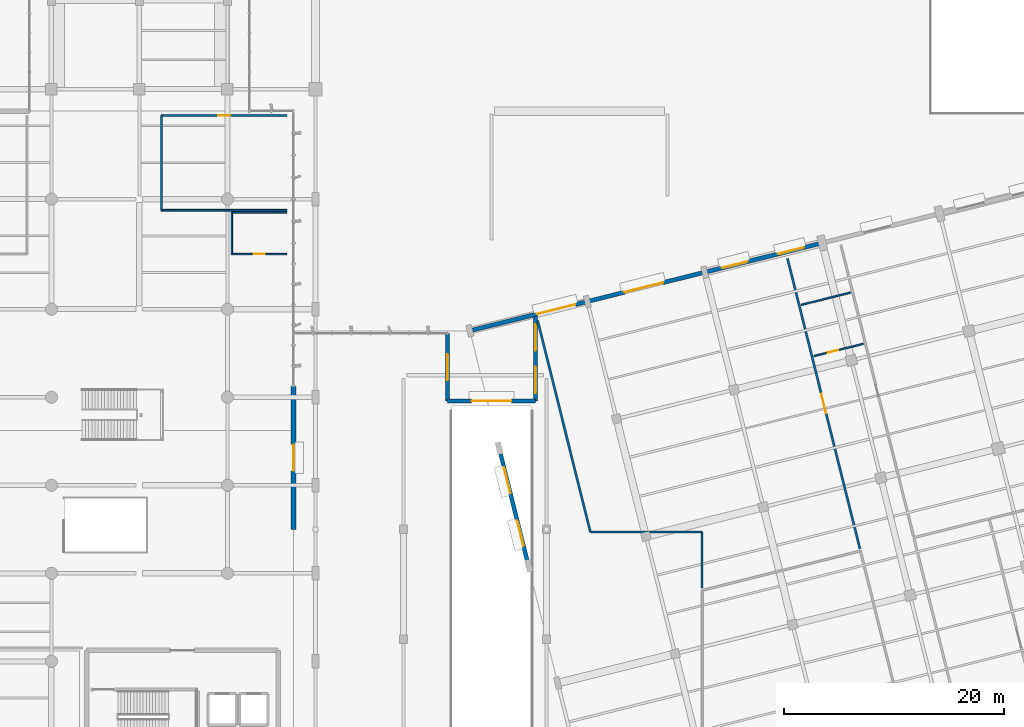
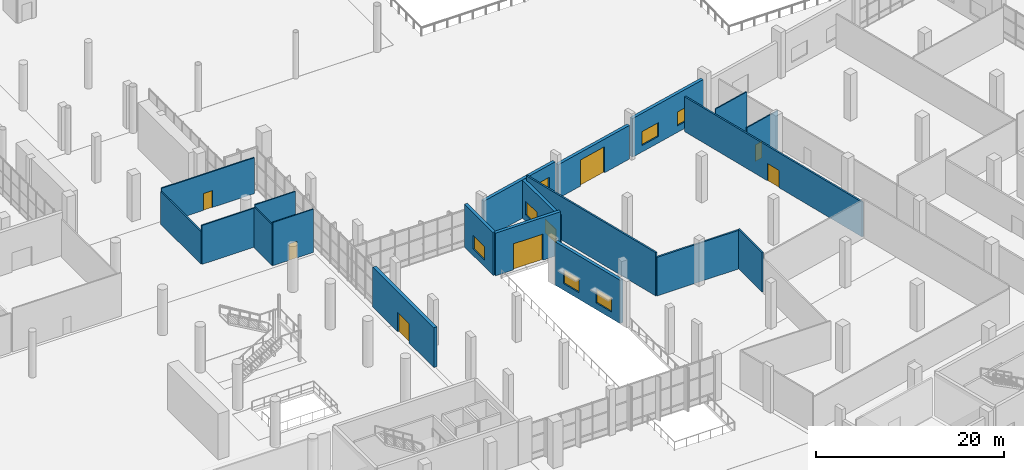
# One storey, part 129 of 163: 20 walls, 8 doors, 7 windows, 15 openings.
"""IFC4 building model written with IfcOpenShell, lengths in metres."""

import ifcopenshell
import ifcopenshell.guid

model = None  # the IFC model being written
_history = None  # IfcOwnerHistory: only IFC2X3 demands one
_inside = {}  # id of a spatial element -> (the spatial element, [elements in it])
_under = {}  # id of a project, library or spatial element -> (it, [spatial elements below it])
_declared = {}  # id of a project -> (the project, [libraries it declares])
_typed = {}  # id of a type object -> (the type object, [elements of that type])
_made_of = {}  # id of a material, layer set ... -> (it, [elements and type objects made of it])


def new_model(schema):
    """Start an empty IFC model of exactly this schema.

    Asked for "IFC4X3", IfcOpenShell would pick the latest addendum, in which some entities
    have other attributes; the version numbers below select the first issue.
    IFC2X3 requires an IfcOwnerHistory on every rooted entity: one is made here for all.
    """
    global model, _history
    if schema == "IFC4X3":
        model = ifcopenshell.file(schema_version=(4, 3, 0, 0))
    else:
        model = ifcopenshell.file(schema=schema)
    _inside.clear()
    _under.clear()
    _declared.clear()
    _typed.clear()
    _made_of.clear()
    _history = None
    if model.schema == "IFC2X3":
        org = make("IfcOrganization", Name="unknown")
        user = make(
            "IfcPersonAndOrganization",
            ThePerson=make("IfcPerson", FamilyName="unknown"),
            TheOrganization=org,
        )
        app = make(
            "IfcApplication",
            ApplicationDeveloper=org,
            Version="unknown",
            ApplicationFullName="unknown",
            ApplicationIdentifier="unknown",
        )
        _history = make(
            "IfcOwnerHistory",
            OwningUser=user,
            OwningApplication=app,
            ChangeAction="ADDED",
            CreationDate=0,
        )
    return model


def make(cls, **values):
    """One entity of the class cls with the attributes given. An attribute that is None is left unset."""
    return model.create_entity(
        cls, **{name: value for name, value in values.items() if value is not None}
    )


def rooted(cls, **values):
    """An entity with a GlobalId (a new one), such as an element, a storey or a relation."""
    return make(cls, GlobalId=ifcopenshell.guid.new(), OwnerHistory=_history, **values)


def si_unit(unit_type, name, prefix=None):
    """IfcSIUnit, for example si_unit("LENGTHUNIT", "METRE", prefix="MILLI")."""
    return make("IfcSIUnit", UnitType=unit_type, Prefix=prefix, Name=name)


def assignment(units):
    """IfcUnitAssignment: the units of a project."""
    return None if units is None else make("IfcUnitAssignment", Units=units)


def point(xyz):
    """IfcCartesianPoint."""
    return None if xyz is None else make("IfcCartesianPoint", Coordinates=xyz)


def direction(xyz):
    """IfcDirection."""
    return None if xyz is None else make("IfcDirection", DirectionRatios=xyz)


def frame(location, z_axis=None, x_axis=None):
    """IfcAxis2Placement3D, a coordinate frame: its origin and axes. An axis left out is left unset."""
    return make(
        "IfcAxis2Placement3D",
        Location=point(location),
        Axis=direction(z_axis),
        RefDirection=direction(x_axis),
    )


def frame_2d(location, x_axis=None):
    """IfcAxis2Placement2D, a coordinate frame in the plane: its origin and x axis."""
    return make(
        "IfcAxis2Placement2D", Location=point(location), RefDirection=direction(x_axis)
    )


def origin():
    """The frame at (0, 0, 0) with its axes left unset."""
    return frame((0.0, 0.0, 0.0))


def place(relative_to, where):
    """IfcLocalPlacement: puts the frame where relative to a parent placement (None: the world)."""
    return make(
        "IfcLocalPlacement", PlacementRelTo=relative_to, RelativePlacement=where
    )


def context(
    kind, dimensions, precision=None, world=None, true_north=None, identifier=None
):
    """IfcGeometricRepresentationContext, for example the 3D "Model" context."""
    return make(
        "IfcGeometricRepresentationContext",
        ContextIdentifier=identifier,
        ContextType=kind,
        CoordinateSpaceDimension=dimensions,
        Precision=precision,
        WorldCoordinateSystem=world,
        TrueNorth=true_north,
    )


def subcontext(parent, identifier, kind, view, scale=None):
    """IfcGeometricRepresentationSubContext, for example "Body" below "Model"."""
    return make(
        "IfcGeometricRepresentationSubContext",
        ContextIdentifier=identifier,
        ContextType=kind,
        ParentContext=parent,
        TargetScale=scale,
        TargetView=view,
    )


def project(units=None, contexts=None):
    """IfcProject with its units and contexts."""
    return rooted(
        "IfcProject",
        Name="project",
        RepresentationContexts=contexts,
        UnitsInContext=assignment(units),
    )


def spatial(cls, under=None, at=None, **own):
    """A site, building, storey or space (cls), placed at a placement, below another one or the project."""
    s = rooted(cls, ObjectPlacement=at, **own)
    if under is not None:
        _under.setdefault(under.id(), (under, []))[1].append(s)
    return s


def profile(cls, at=None, kind="AREA", **sizes):
    """A parametric profile (cls). Its sizes go by their IFC names, for example OverallWidth=200.0."""
    return make(cls, ProfileType=kind, Position=at, **sizes)


def rectangle(**sizes):
    """IfcRectangleProfileDef."""
    return profile("IfcRectangleProfileDef", **sizes)


def extrude(swept, where, along, depth):
    """IfcExtrudedAreaSolid: the profile swept, set in the frame where, extruded along a direction by depth."""
    return make(
        "IfcExtrudedAreaSolid",
        SweptArea=swept,
        Position=where,
        ExtrudedDirection=direction(along),
        Depth=depth,
    )


def shape(context_of_items, identifier, shape_type, items):
    """IfcShapeRepresentation: the items that make up one representation, for example the "Body"."""
    return make(
        "IfcShapeRepresentation",
        ContextOfItems=context_of_items,
        RepresentationIdentifier=identifier,
        RepresentationType=shape_type,
        Items=items,
    )


def material(Name=None, Category=None):
    """IfcMaterial."""
    return make("IfcMaterial", Name=Name, Category=Category)


def layer(
    of_material, thickness, ventilated=None, Name=None, Category=None, Priority=None
):
    """IfcMaterialLayer: one layer of a wall or slab, of a material (None: an air gap)."""
    return make(
        "IfcMaterialLayer",
        Material=of_material,
        LayerThickness=thickness,
        IsVentilated=ventilated,
        Name=Name,
        Category=Category,
        Priority=Priority,
    )


def layer_set(layers, Name=None):
    """IfcMaterialLayerSet."""
    return make("IfcMaterialLayerSet", MaterialLayers=layers, LayerSetName=Name)


def made_of(thing, what):
    """Note that an element or type object is made of a material, layer set ...; save() writes the relation."""
    if what is not None:
        _made_of.setdefault(what.id(), (what, []))[1].append(thing)
    return thing


def type_object(cls, material=None, **own):
    """A type object (cls), such as IfcWallType, which elements share."""
    return made_of(rooted(cls, **own), material)


def element(
    cls,
    number,
    at=None,
    inside=None,
    cuts=None,
    type_object=None,
    material=None,
    context=None,
    identifier="Body",
    shape_type=None,
    held_by="IfcProductDefinitionShape",
    body=None,
    shapes=None,
    **own,
):
    """One element of the class cls, such as IfcWall. Its Tag is "e" and its number.

    at: its placement. inside: the storey or other place that contains it. cuts: it is an
    opening in that element (IfcRelVoidsElement). A single representation is given by context,
    identifier, shape_type and body (its items); several are given by shapes. held_by: the class
    of the entity that holds the representations. save() writes the other relations.
    """
    e = rooted(cls, Tag="e%d" % number, ObjectPlacement=at, **own)
    if body is not None:
        shapes = [shape(context, identifier, shape_type, body)]
    if shapes is not None:
        e.Representation = make(held_by, Representations=shapes)
    if inside is not None:
        _inside.setdefault(inside.id(), (inside, []))[1].append(e)
    if cuts is not None:
        rooted(
            "IfcRelVoidsElement", RelatingBuildingElement=cuts, RelatedOpeningElement=e
        )
    if type_object is not None:
        _typed.setdefault(type_object.id(), (type_object, []))[1].append(e)
    return made_of(e, material)


def fill(opening, filler):
    """IfcRelFillsElement: the door or window that sits in an opening."""
    return rooted(
        "IfcRelFillsElement",
        RelatingOpeningElement=opening,
        RelatedBuildingElement=filler,
    )


def aggregate(whole, parts):
    """IfcRelAggregates: a whole, such as a stair, and the parts it consists of."""
    return rooted("IfcRelAggregates", RelatingObject=whole, RelatedObjects=parts)


def save(model, path):
    """Write the relations noted so far, then the file.

    IfcRelAggregates (storeys below a building ...), IfcRelContainedInSpatialStructure (elements
    in a storey), IfcRelDefinesByType, IfcRelAssociatesMaterial and IfcRelDeclares: one each for
    every whole, place, type object, material and project.
    """
    for whole, parts in _under.values():
        aggregate(whole, parts)
    for where, things in _inside.values():
        rooted(
            "IfcRelContainedInSpatialStructure",
            RelatedElements=things,
            RelatingStructure=where,
        )
    for kind, things in _typed.values():
        rooted("IfcRelDefinesByType", RelatedObjects=things, RelatingType=kind)
    for what, things in _made_of.values():
        rooted("IfcRelAssociatesMaterial", RelatedObjects=things, RelatingMaterial=what)
    for by, libraries in _declared.values():
        rooted("IfcRelDeclares", RelatingContext=by, RelatedDefinitions=libraries)
    model.write(path)


model = new_model("IFC4")

# Units and contexts
model_context = context("Model", 3, precision=1e-05, world=origin(), true_north=direction((0.0, 1.0)))
body_context = subcontext(model_context, "Body", "Model", "MODEL_VIEW")
ifc_project = project(units=[si_unit("LENGTHUNIT", "METRE"), si_unit("AREAUNIT", "SQUARE_METRE"), si_unit("VOLUMEUNIT", "CUBIC_METRE"), si_unit("PLANEANGLEUNIT", "RADIAN"), si_unit("MASSUNIT", "GRAM", prefix="KILO")], contexts=[model_context])

# Site, building, storey
site_placement = place(None, origin())
site = spatial("IfcSite", under=ifc_project, at=site_placement, CompositionType="ELEMENT")
building_placement = place(site_placement, origin())
building = spatial("IfcBuilding", under=site, at=building_placement, Name="Khorjan Park Terminus", CompositionType="ELEMENT")
storey_placement = place(building_placement, origin())
storey = spatial("IfcBuildingStorey", under=building, at=storey_placement, Name="L00", CompositionType="ELEMENT", Elevation=0.0)

# Wall, opening, window
ifc_material_1 = material(Name="Pigmented Precast GRC & Concrete C40/50", Category="concrete")
ifc_layer_1 = layer(ifc_material_1, 0.38)
ifc_layer_set_1 = layer_set([ifc_layer_1], Name="Pigmented Precast GRC & Concrete C40/50")
wall_type_1 = type_object("IfcWallType", Name="EW-38", PredefinedType="STANDARD", material=ifc_layer_set_1)
wall_1_placement = place(storey_placement, frame((148.0, 59.65, 0.0), z_axis=(0.0, 0.0, 1.0), x_axis=(0.0, 1.0, 0.0)))
wall_1 = element("IfcWall", 1, at=wall_1_placement, inside=storey, type_object=wall_type_1, Name="External pigmented-GRC insulated wall EW-38 (EW-V5RMP-W-L00)", PredefinedType="STANDARD", context=body_context, shape_type="SweptSolid", body=[
    extrude(rectangle(XDim=6.15, YDim=0.38, at=frame_2d((3.075, 0.0))), origin(), (0.0, 0.0, 1.0), 5.55),
])
opening_1_placement = place(wall_1_placement, frame((1.875, 0.0, 0.85)))
opening_1 = element("IfcOpeningElement", 2, at=opening_1_placement, cuts=wall_1, Name="Opening WN-24", PredefinedType="OPENING", context=body_context, shape_type="SweptSolid", body=[
    extrude(rectangle(XDim=2.4, YDim=1.8, at=frame_2d((1.2, 0.9))), frame((0.0, 0.2, 0.0), z_axis=(0.0, -1.0, 0.0), x_axis=(1.0, 0.0, 0.0)), (0.0, 0.0, 1.0), 0.4),
])
ifc_material_2 = material(Name="Anodized Bronze Aluminium & Low-E Glass", Category="aluminium")
window_type = type_object("IfcWindowType", Name="WN-24", PartitioningType="SINGLE_PANEL", PredefinedType="WINDOW", material=ifc_material_2)
window_1_placement = place(opening_1_placement, origin())
window_1 = element("IfcWindow", 3, at=window_1_placement, inside=storey, type_object=window_type, Name="Solar-control exterior window WN-24 (WN-EW-V5RMP-W-L00-1)", OverallHeight=1.8, OverallWidth=2.4, PartitioningType="SINGLE_PANEL", PredefinedType="WINDOW", context=body_context, shape_type="SweptSolid", body=[
    extrude(rectangle(XDim=2.4, YDim=1.8, at=frame_2d((1.2, 0.9))), frame((0.0, 0.03, 0.0), z_axis=(0.0, -1.0, 0.0), x_axis=(1.0, 0.0, 0.0)), (0.0, 0.0, 1.0), 0.06),
])
fill(opening_1, window_1)

# Wall, opening, door
wall_2_placement = place(storey_placement, frame((156.0, 59.65, 0.0), z_axis=(0.0, 0.0, 1.0), x_axis=(-1.0, 0.0, 0.0)))
wall_2 = element("IfcWall", 4, at=wall_2_placement, inside=storey, type_object=wall_type_1, Name="External pigmented-GRC insulated wall EW-38 (EW-V5RMP-N-L00)", PredefinedType="STANDARD", context=body_context, shape_type="SweptSolid", body=[
    extrude(rectangle(XDim=8.0, YDim=0.38, at=frame_2d((4.0, 0.0))), origin(), (0.0, 0.0, 1.0), 5.55),
])
opening_2_placement = place(wall_2_placement, frame((2.2, 0.0, 0.0)))
opening_2 = element("IfcOpeningElement", 5, at=opening_2_placement, cuts=wall_2, Name="Opening LG-36", PredefinedType="OPENING", context=body_context, shape_type="SweptSolid", body=[
    extrude(rectangle(XDim=3.6, YDim=3.4, at=frame_2d((1.8, 1.7))), frame((0.0, 0.2, 0.0), z_axis=(0.0, -1.0, 0.0), x_axis=(1.0, 0.0, 0.0)), (0.0, 0.0, 1.0), 0.4),
])
ifc_material_3 = material(Name="Insulated Steel Loading Bay Shutter", Category="steel")
door_type_1 = type_object("IfcDoorType", Name="LG-36", OperationType="NOTDEFINED", PredefinedType="GATE", material=ifc_material_3)
door_1_placement = place(opening_2_placement, origin())
door_1 = element("IfcDoor", 6, at=door_1_placement, inside=storey, type_object=door_type_1, Name="Exterior door LG-36 (DR-EW-V5RMP-N-L00)", OperationType="ROLLINGUP", OverallHeight=3.4, OverallWidth=3.6, PredefinedType="GATE", context=body_context, shape_type="SweptSolid", body=[
    extrude(rectangle(XDim=3.6, YDim=3.4, at=frame_2d((1.8, 1.7))), frame((0.0, 0.025, 0.0), z_axis=(0.0, -1.0, 0.0), x_axis=(1.0, 0.0, 0.0)), (0.0, 0.0, 1.0), 0.05),
])
fill(opening_2, door_1)

# Wall, openings, windows
wall_3_placement = place(storey_placement, frame((156.0, 67.34, 0.0), z_axis=(0.0, 0.0, 1.0), x_axis=(0.0, -1.0, 0.0)))
wall_3 = element("IfcWall", 7, at=wall_3_placement, inside=storey, type_object=wall_type_1, Name="External pigmented-GRC insulated wall EW-38 (EW-V5RMP-E-L00)", PredefinedType="STANDARD", context=body_context, shape_type="SweptSolid", body=[
    extrude(rectangle(XDim=7.69, YDim=0.38, at=frame_2d((3.845, 0.0))), origin(), (0.0, 0.0, 1.0), 4.985),
])
opening_3_placement = place(wall_3_placement, frame((0.7225, 0.0, 0.85)))
opening_3 = element("IfcOpeningElement", 8, at=opening_3_placement, cuts=wall_3, Name="Opening WN-24", PredefinedType="OPENING", context=body_context, shape_type="SweptSolid", body=[
    extrude(rectangle(XDim=2.4, YDim=1.8, at=frame_2d((1.2, 0.9))), frame((0.0, 0.2, 0.0), z_axis=(0.0, -1.0, 0.0), x_axis=(1.0, 0.0, 0.0)), (0.0, 0.0, 1.0), 0.4),
])
opening_4_placement = place(wall_3_placement, frame((4.5675, 0.0, 0.85)))
opening_4 = element("IfcOpeningElement", 9, at=opening_4_placement, cuts=wall_3, Name="Opening WN-24", PredefinedType="OPENING", context=body_context, shape_type="SweptSolid", body=[
    extrude(rectangle(XDim=2.4, YDim=1.8, at=frame_2d((1.2, 0.9))), frame((0.0, 0.2, 0.0), z_axis=(0.0, -1.0, 0.0), x_axis=(1.0, 0.0, 0.0)), (0.0, 0.0, 1.0), 0.4),
])
window_2_placement = place(opening_3_placement, origin())
window_2 = element("IfcWindow", 10, at=window_2_placement, inside=storey, type_object=window_type, Name="Solar-control exterior window WN-24 (WN-EW-V5RMP-E-L00-1)", OverallHeight=1.8, OverallWidth=2.4, PartitioningType="SINGLE_PANEL", PredefinedType="WINDOW", context=body_context, shape_type="SweptSolid", body=[
    extrude(rectangle(XDim=2.4, YDim=1.8, at=frame_2d((1.2, 0.9))), frame((0.0, 0.03, 0.0), z_axis=(0.0, -1.0, 0.0), x_axis=(1.0, 0.0, 0.0)), (0.0, 0.0, 1.0), 0.06),
])
fill(opening_3, window_2)
window_3_placement = place(opening_4_placement, origin())
window_3 = element("IfcWindow", 11, at=window_3_placement, inside=storey, type_object=window_type, Name="Solar-control exterior window WN-24 (WN-EW-V5RMP-E-L00-2)", OverallHeight=1.8, OverallWidth=2.4, PartitioningType="SINGLE_PANEL", PredefinedType="WINDOW", context=body_context, shape_type="SweptSolid", body=[
    extrude(rectangle(XDim=2.4, YDim=1.8, at=frame_2d((1.2, 0.9))), frame((0.0, 0.03, 0.0), z_axis=(0.0, -1.0, 0.0), x_axis=(1.0, 0.0, 0.0)), (0.0, 0.0, 1.0), 0.06),
])
fill(opening_4, window_3)

wall_4_placement = place(storey_placement, frame((181.7474, 73.9467, 0.0), z_axis=(0.0, 0.0, 1.0), x_axis=(-0.970297370005, -0.241915302865, 0.0)))
wall_4 = element("IfcWall", 12, at=wall_4_placement, inside=storey, type_object=wall_type_1, Name="External pigmented-GRC insulated wall EW-38 (EW-V5-N-L00-B04)", PredefinedType="STANDARD", context=body_context, shape_type="SweptSolid", body=[
    extrude(rectangle(XDim=10.4698, YDim=0.38, at=frame_2d((5.2349, 0.0))), origin(), (0.0, 0.0, 1.0), 5.025),
])
opening_5_placement = place(wall_4_placement, frame((1.4174, 0.0, 0.85)))
opening_5 = element("IfcOpeningElement", 13, at=opening_5_placement, cuts=wall_4, Name="Opening WN-24", PredefinedType="OPENING", context=body_context, shape_type="SweptSolid", body=[
    extrude(rectangle(XDim=2.4, YDim=1.8, at=frame_2d((1.2, 0.9))), frame((0.0, 0.2, 0.0), z_axis=(0.0, -1.0, 0.0), x_axis=(1.0, 0.0, 0.0)), (0.0, 0.0, 1.0), 0.4),
])
opening_6_placement = place(wall_4_placement, frame((6.6523, 0.0, 0.85)))
opening_6 = element("IfcOpeningElement", 14, at=opening_6_placement, cuts=wall_4, Name="Opening WN-24", PredefinedType="OPENING", context=body_context, shape_type="SweptSolid", body=[
    extrude(rectangle(XDim=2.4, YDim=1.8, at=frame_2d((1.2, 0.9))), frame((0.0, 0.2, 0.0), z_axis=(0.0, -1.0, 0.0), x_axis=(1.0, 0.0, 0.0)), (0.0, 0.0, 1.0), 0.4),
])
window_4_placement = place(opening_5_placement, origin())
window_4 = element("IfcWindow", 15, at=window_4_placement, inside=storey, type_object=window_type, Name="Solar-control exterior window WN-24 (WN-EW-V5-N-L00-B04-1)", OverallHeight=1.8, OverallWidth=2.4, PartitioningType="SINGLE_PANEL", PredefinedType="WINDOW", context=body_context, shape_type="SweptSolid", body=[
    extrude(rectangle(XDim=2.4, YDim=1.8, at=frame_2d((1.2, 0.9))), frame((0.0, 0.03, 0.0), z_axis=(0.0, -1.0, 0.0), x_axis=(1.0, 0.0, 0.0)), (0.0, 0.0, 1.0), 0.06),
])
fill(opening_5, window_4)
window_5_placement = place(opening_6_placement, origin())
window_5 = element("IfcWindow", 16, at=window_5_placement, inside=storey, type_object=window_type, Name="Solar-control exterior window WN-24 (WN-EW-V5-N-L00-B04-2)", OverallHeight=1.8, OverallWidth=2.4, PartitioningType="SINGLE_PANEL", PredefinedType="WINDOW", context=body_context, shape_type="SweptSolid", body=[
    extrude(rectangle(XDim=2.4, YDim=1.8, at=frame_2d((1.2, 0.9))), frame((0.0, 0.03, 0.0), z_axis=(0.0, -1.0, 0.0), x_axis=(1.0, 0.0, 0.0)), (0.0, 0.0, 1.0), 0.06),
])
fill(opening_6, window_5)

# Wall, opening, door
wall_5_placement = place(storey_placement, frame((171.1714, 71.3099, 0.0), z_axis=(0.0, 0.0, 1.0), x_axis=(-0.970295338259, -0.241923451844, 0.0)))
wall_5 = element("IfcWall", 17, at=wall_5_placement, inside=storey, type_object=wall_type_1, Name="External pigmented-GRC insulated wall EW-38 (EW-V5-N-L00-B05)", PredefinedType="STANDARD", context=body_context, shape_type="SweptSolid", body=[
    extrude(rectangle(XDim=10.5707, YDim=0.38, at=frame_2d((5.2854, 0.0))), origin(), (0.0, 0.0, 1.0), 4.375),
])
opening_7_placement = place(wall_5_placement, frame((3.7, 0.0, 0.0)))
opening_7 = element("IfcOpeningElement", 18, at=opening_7_placement, cuts=wall_5, Name="Opening LG-36", PredefinedType="OPENING", context=body_context, shape_type="SweptSolid", body=[
    extrude(rectangle(XDim=3.6, YDim=3.4, at=frame_2d((1.8, 1.7))), frame((0.0, 0.2, 0.0), z_axis=(0.0, -1.0, 0.0), x_axis=(1.0, 0.0, 0.0)), (0.0, 0.0, 1.0), 0.4),
])
door_2_placement = place(opening_7_placement, origin())
door_2 = element("IfcDoor", 19, at=door_2_placement, inside=storey, type_object=door_type_1, Name="Exterior door LG-36 (DR-EW-V5-N-L00-B05)", OperationType="ROLLINGUP", OverallHeight=3.4, OverallWidth=3.6, PredefinedType="GATE", context=body_context, shape_type="SweptSolid", body=[
    extrude(rectangle(XDim=3.6, YDim=3.4, at=frame_2d((1.8, 1.7))), frame((0.0, 0.025, 0.0), z_axis=(0.0, -1.0, 0.0), x_axis=(1.0, 0.0, 0.0)), (0.0, 0.0, 1.0), 0.05),
])
fill(opening_7, door_2)

wall_6_placement = place(storey_placement, frame((160.4975, 68.6486, 0.0), z_axis=(0.0, 0.0, 1.0), x_axis=(-0.970294796446, -0.241925624914, 0.0)))
wall_6 = element("IfcWall", 20, at=wall_6_placement, inside=storey, type_object=wall_type_1, Name="External pigmented-GRC insulated wall EW-38 (EW-V5-N-L00-B06)", PredefinedType="STANDARD", context=body_context, shape_type="SweptSolid", body=[
    extrude(rectangle(XDim=10.5698, YDim=0.38, at=frame_2d((5.2849, 0.0))), origin(), (0.0, 0.0, 1.0), 4.985),
])
opening_8_placement = place(wall_6_placement, frame((0.9, 0.0, 0.0)))
opening_8 = element("IfcOpeningElement", 21, at=opening_8_placement, cuts=wall_6, Name="Opening LG-36", PredefinedType="OPENING", context=body_context, shape_type="SweptSolid", body=[
    extrude(rectangle(XDim=3.6, YDim=3.4, at=frame_2d((1.8, 1.7))), frame((0.0, 0.2, 0.0), z_axis=(0.0, -1.0, 0.0), x_axis=(1.0, 0.0, 0.0)), (0.0, 0.0, 1.0), 0.4),
])
door_3_placement = place(opening_8_placement, origin())
door_3 = element("IfcDoor", 22, at=door_3_placement, inside=storey, type_object=door_type_1, Name="Exterior door LG-36 (DR-EW-V5-N-L00-B06)", OperationType="ROLLINGUP", OverallHeight=3.4, OverallWidth=3.6, PredefinedType="GATE", context=body_context, shape_type="SweptSolid", body=[
    extrude(rectangle(XDim=3.6, YDim=3.4, at=frame_2d((1.8, 1.7))), frame((0.0, 0.025, 0.0), z_axis=(0.0, -1.0, 0.0), x_axis=(1.0, 0.0, 0.0)), (0.0, 0.0, 1.0), 0.05),
])
fill(opening_8, door_3)

# Wall, openings, windows
wall_7_placement = place(storey_placement, frame((152.8189, 54.8664, 0.0), z_axis=(0.0, 0.0, 1.0), x_axis=(0.241921955253, -0.970295711403, 0.0)))
wall_7 = element("IfcWall", 23, at=wall_7_placement, inside=storey, type_object=wall_type_1, Name="External pigmented-GRC insulated wall EW-38 (EW-V5-W-L00-B02)", PredefinedType="STANDARD", context=body_context, shape_type="SweptSolid", body=[
    extrude(rectangle(XDim=9.9697, YDim=0.38, at=frame_2d((4.9848, 0.0))), origin(), (0.0, 0.0, 1.0), 5.635),
])
opening_9_placement = place(wall_7_placement, frame((1.2924, 0.0, 0.85)))
opening_9 = element("IfcOpeningElement", 24, at=opening_9_placement, cuts=wall_7, Name="Opening WN-24", PredefinedType="OPENING", context=body_context, shape_type="SweptSolid", body=[
    extrude(rectangle(XDim=2.4, YDim=1.8, at=frame_2d((1.2, 0.9))), frame((0.0, 0.2, 0.0), z_axis=(0.0, -1.0, 0.0), x_axis=(1.0, 0.0, 0.0)), (0.0, 0.0, 1.0), 0.4),
])
opening_10_placement = place(wall_7_placement, frame((6.2773, 0.0, 0.85)))
opening_10 = element("IfcOpeningElement", 25, at=opening_10_placement, cuts=wall_7, Name="Opening WN-24", PredefinedType="OPENING", context=body_context, shape_type="SweptSolid", body=[
    extrude(rectangle(XDim=2.4, YDim=1.8, at=frame_2d((1.2, 0.9))), frame((0.0, 0.2, 0.0), z_axis=(0.0, -1.0, 0.0), x_axis=(1.0, 0.0, 0.0)), (0.0, 0.0, 1.0), 0.4),
])
window_6_placement = place(opening_9_placement, origin())
window_6 = element("IfcWindow", 26, at=window_6_placement, inside=storey, type_object=window_type, Name="Solar-control exterior window WN-24 (WN-EW-V5-W-L00-B02-1)", OverallHeight=1.8, OverallWidth=2.4, PartitioningType="SINGLE_PANEL", PredefinedType="WINDOW", context=body_context, shape_type="SweptSolid", body=[
    extrude(rectangle(XDim=2.4, YDim=1.8, at=frame_2d((1.2, 0.9))), frame((0.0, 0.03, 0.0), z_axis=(0.0, -1.0, 0.0), x_axis=(1.0, 0.0, 0.0)), (0.0, 0.0, 1.0), 0.06),
])
fill(opening_9, window_6)
window_7_placement = place(opening_10_placement, origin())
window_7 = element("IfcWindow", 27, at=window_7_placement, inside=storey, type_object=window_type, Name="Solar-control exterior window WN-24 (WN-EW-V5-W-L00-B02-2)", OverallHeight=1.8, OverallWidth=2.4, PartitioningType="SINGLE_PANEL", PredefinedType="WINDOW", context=body_context, shape_type="SweptSolid", body=[
    extrude(rectangle(XDim=2.4, YDim=1.8, at=frame_2d((1.2, 0.9))), frame((0.0, 0.03, 0.0), z_axis=(0.0, -1.0, 0.0), x_axis=(1.0, 0.0, 0.0)), (0.0, 0.0, 1.0), 0.06),
])
fill(opening_10, window_7)

# Wall, opening, door
ifc_layer_2 = layer(ifc_material_1, 0.42)
ifc_layer_set_2 = layer_set([ifc_layer_2], Name="Pigmented Precast GRC & Concrete C40/50")
wall_type_2 = type_object("IfcWallType", Name="EW-42", PredefinedType="STANDARD", material=ifc_layer_set_2)
wall_8_placement = place(storey_placement, frame((134.0, 48.0, 0.0), z_axis=(0.0, 0.0, 1.0), x_axis=(0.0, 1.0, 0.0)))
wall_8 = element("IfcWall", 28, at=wall_8_placement, inside=storey, type_object=wall_type_2, Name="External pigmented-GRC insulated wall EW-42 (EW-V2-E-L00-02)", PredefinedType="STANDARD", context=body_context, shape_type="SweptSolid", body=[
    extrude(rectangle(XDim=13.0, YDim=0.42, at=frame_2d((6.5, 0.0))), origin(), (0.0, 0.0, 1.0), 5.175),
])
opening_11_placement = place(wall_8_placement, frame((5.3, 0.0, 0.0)))
opening_11 = element("IfcOpeningElement", 29, at=opening_11_placement, cuts=wall_8, Name="Opening ED-24", PredefinedType="OPENING", context=body_context, shape_type="SweptSolid", body=[
    extrude(rectangle(XDim=2.4, YDim=2.5, at=frame_2d((1.2, 1.25))), frame((0.0, 0.22, 0.0), z_axis=(0.0, -1.0, 0.0), x_axis=(1.0, 0.0, 0.0)), (0.0, 0.0, 1.0), 0.44),
])
ifc_material_4 = material(Name="Anodized Bronze Aluminium & Safety Glass", Category="aluminium")
door_type_2 = type_object("IfcDoorType", Name="ED-24", OperationType="NOTDEFINED", PredefinedType="DOOR", material=ifc_material_4)
door_4_placement = place(opening_11_placement, origin())
door_4 = element("IfcDoor", 30, at=door_4_placement, inside=storey, type_object=door_type_2, Name="Exterior door ED-24 (DR-EW-V2-E-L00-02)", OperationType="DOUBLE_DOOR_SINGLE_SWING", OverallHeight=2.5, OverallWidth=2.4, PredefinedType="DOOR", context=body_context, shape_type="SweptSolid", body=[
    extrude(rectangle(XDim=2.4, YDim=2.5, at=frame_2d((1.2, 1.25))), frame((0.0, 0.025, 0.0), z_axis=(0.0, -1.0, 0.0), x_axis=(1.0, 0.0, 0.0)), (0.0, 0.0, 1.0), 0.05),
])
fill(opening_11, door_4)

# Wall
ifc_material_5 = material(Name="Moisture-Resistant Sanitary Partition")
ifc_layer_3 = layer(ifc_material_5, 0.14)
ifc_layer_set_3 = layer_set([ifc_layer_3], Name="Moisture-Resistant Sanitary Partition")
wall_type_3 = type_object("IfcWallType", Name="PT-14", PredefinedType="PARTITIONING", material=ifc_layer_set_3)
wall_9_placement = place(storey_placement, frame((128.4, 76.8, 0.0), z_axis=(0.0, 0.0, 1.0), x_axis=(1.0, 0.0, 0.0)))
element("IfcWall", 31, at=wall_9_placement, inside=storey, type_object=wall_type_3, Name="Interior acoustic partition PT-14 (L00-AWC0)", PredefinedType="PARTITIONING", context=body_context, shape_type="SweptSolid", body=[
    extrude(rectangle(XDim=5.0, YDim=0.14, at=frame_2d((2.5, 0.0))), origin(), (0.0, 0.0, 1.0), 5.62),
])

# Wall, opening, door
wall_10_placement = place(storey_placement, frame((133.4, 73.0, 0.0), z_axis=(0.0, 0.0, 1.0), x_axis=(-1.0, 0.0, 0.0)))
wall_10 = element("IfcWall", 32, at=wall_10_placement, inside=storey, type_object=wall_type_3, Name="Interior acoustic partition PT-14 (L00-AWC0)", PredefinedType="PARTITIONING", context=body_context, shape_type="SweptSolid", body=[
    extrude(rectangle(XDim=5.0, YDim=0.14, at=frame_2d((2.5, 0.0))), origin(), (0.0, 0.0, 1.0), 5.62),
])
opening_12_placement = place(wall_10_placement, frame((2.0, 0.0, 0.0)))
opening_12 = element("IfcOpeningElement", 33, at=opening_12_placement, cuts=wall_10, Name="Opening ID-10", PredefinedType="OPENING", context=body_context, shape_type="SweptSolid", body=[
    extrude(rectangle(XDim=1.0, YDim=2.15, at=frame_2d((0.5, 1.075))), frame((0.0, 0.08, 0.0), z_axis=(0.0, -1.0, 0.0), x_axis=(1.0, 0.0, 0.0)), (0.0, 0.0, 1.0), 0.16),
])
ifc_material_6 = material(Name="Acoustic Fire-Rated Single Door")
door_type_3 = type_object("IfcDoorType", Name="ID-10", OperationType="NOTDEFINED", PredefinedType="DOOR", material=ifc_material_6)
door_5_placement = place(opening_12_placement, origin())
door_5 = element("IfcDoor", 34, at=door_5_placement, inside=storey, type_object=door_type_3, Name="Interior door ID-10 (L00-AWC0)", OperationType="SINGLE_SWING_LEFT", OverallHeight=2.15, OverallWidth=1.0, PredefinedType="DOOR", context=body_context, shape_type="SweptSolid", body=[
    extrude(rectangle(XDim=1.0, YDim=2.15, at=frame_2d((0.5, 1.075))), frame((0.0, 0.025, 0.0), z_axis=(0.0, -1.0, 0.0), x_axis=(1.0, 0.0, 0.0)), (0.0, 0.0, 1.0), 0.05),
])
fill(opening_12, door_5)

# Wall
wall_11_placement = place(storey_placement, frame((128.4, 73.0, 0.0), z_axis=(0.0, 0.0, 1.0), x_axis=(0.0, 1.0, 0.0)))
element("IfcWall", 35, at=wall_11_placement, inside=storey, type_object=wall_type_3, Name="Interior acoustic partition PT-14 (L00-AWC0)", PredefinedType="PARTITIONING", context=body_context, shape_type="SweptSolid", body=[
    extrude(rectangle(XDim=3.8, YDim=0.14, at=frame_2d((1.9, 0.0))), origin(), (0.0, 0.0, 1.0), 5.345),
])

# Wall, opening, door
wall_12_placement = place(storey_placement, frame((185.7822, 64.8527, 0.0), z_axis=(0.0, 0.0, 1.0), x_axis=(-0.970298308701, -0.241911537824, 0.0)))
wall_12 = element("IfcWall", 36, at=wall_12_placement, inside=storey, type_object=wall_type_3, Name="Interior acoustic partition PT-14 (L00-SAWC0)", PredefinedType="PARTITIONING", context=body_context, shape_type="SweptSolid", body=[
    extrude(rectangle(XDim=4.6, YDim=0.14, at=frame_2d((2.3, 0.0))), origin(), (0.0, 0.0, 1.0), 5.035),
])
opening_13_placement = place(wall_12_placement, frame((2.34, 0.0, 0.0)))
opening_13 = element("IfcOpeningElement", 37, at=opening_13_placement, cuts=wall_12, Name="Opening ID-10", PredefinedType="OPENING", context=body_context, shape_type="SweptSolid", body=[
    extrude(rectangle(XDim=1.0, YDim=2.15, at=frame_2d((0.5, 1.075))), frame((0.0, 0.08, 0.0), z_axis=(0.0, -1.0, 0.0), x_axis=(1.0, 0.0, 0.0)), (0.0, 0.0, 1.0), 0.16),
])
door_6_placement = place(opening_13_placement, origin())
door_6 = element("IfcDoor", 38, at=door_6_placement, inside=storey, type_object=door_type_3, Name="Interior door ID-10 (L00-SAWC0)", OperationType="SINGLE_SWING_RIGHT", OverallHeight=2.15, OverallWidth=1.0, PredefinedType="DOOR", context=body_context, shape_type="SweptSolid", body=[
    extrude(rectangle(XDim=1.0, YDim=2.15, at=frame_2d((0.5, 1.075))), frame((0.0, 0.025, 0.0), z_axis=(0.0, -1.0, 0.0), x_axis=(1.0, 0.0, 0.0)), (0.0, 0.0, 1.0), 0.05),
])
fill(opening_13, door_6)

# Wall
wall_13_placement = place(storey_placement, frame((180.1576, 68.3973, 0.0), z_axis=(0.0, 0.0, 1.0), x_axis=(0.970291933356, 0.241937107663, 0.0)))
element("IfcWall", 39, at=wall_13_placement, inside=storey, type_object=wall_type_3, Name="Interior acoustic partition PT-14 (L00-SAWC0)", PredefinedType="PARTITIONING", context=body_context, shape_type="SweptSolid", body=[
    extrude(rectangle(XDim=4.6, YDim=0.14, at=frame_2d((2.3, 0.0))), origin(), (0.0, 0.0, 1.0), 5.035),
])

# Wall, opening, door
ifc_material_7 = material(Name="Insulated Metal-Stud Acoustic Partition")
ifc_layer_4 = layer(ifc_material_7, 0.16)
ifc_layer_set_4 = layer_set([ifc_layer_4], Name="Insulated Metal-Stud Acoustic Partition")
wall_type_4 = type_object("IfcWallType", Name="PT-16", PredefinedType="PARTITIONING", material=ifc_layer_set_4)
wall_14_placement = place(storey_placement, frame((122.0, 85.6, 0.0), z_axis=(0.0, 0.0, 1.0), x_axis=(1.0, 0.0, 0.0)))
wall_14 = element("IfcWall", 40, at=wall_14_placement, inside=storey, type_object=wall_type_4, Name="Interior acoustic partition PT-16 (L00-INF)", PredefinedType="PARTITIONING", context=body_context, shape_type="SweptSolid", body=[
    extrude(rectangle(XDim=11.4, YDim=0.16, at=frame_2d((5.7, 0.0))), origin(), (0.0, 0.0, 1.0), 4.665),
])
opening_14_placement = place(wall_14_placement, frame((5.15, 0.0, 0.0)))
opening_14 = element("IfcOpeningElement", 41, at=opening_14_placement, cuts=wall_14, Name="Opening ID-11", PredefinedType="OPENING", context=body_context, shape_type="SweptSolid", body=[
    extrude(rectangle(XDim=1.1, YDim=2.2, at=frame_2d((0.55, 1.1))), frame((0.0, 0.09, 0.0), z_axis=(0.0, -1.0, 0.0), x_axis=(1.0, 0.0, 0.0)), (0.0, 0.0, 1.0), 0.18),
])
ifc_material_8 = material(Name="Acoustic Hardwood Single Door", Category="wood")
door_type_4 = type_object("IfcDoorType", Name="ID-11", OperationType="NOTDEFINED", PredefinedType="DOOR", material=ifc_material_8)
door_7_placement = place(opening_14_placement, origin())
door_7 = element("IfcDoor", 42, at=door_7_placement, inside=storey, type_object=door_type_4, Name="Interior door ID-11 (L00-INF)", OperationType="SINGLE_SWING_RIGHT", OverallHeight=2.2, OverallWidth=1.1, PredefinedType="DOOR", context=body_context, shape_type="SweptSolid", body=[
    extrude(rectangle(XDim=1.1, YDim=2.2, at=frame_2d((0.55, 1.1))), frame((0.0, 0.025, 0.0), z_axis=(0.0, -1.0, 0.0), x_axis=(1.0, 0.0, 0.0)), (0.0, 0.0, 1.0), 0.05),
])
fill(opening_14, door_7)

# Walls
wall_15_placement = place(storey_placement, frame((133.4, 77.0, 0.0), z_axis=(0.0, 0.0, 1.0), x_axis=(-1.0, 0.0, 0.0)))
element("IfcWall", 43, at=wall_15_placement, inside=storey, type_object=wall_type_4, Name="Interior acoustic partition PT-16 (L00-INF)", PredefinedType="PARTITIONING", context=body_context, shape_type="SweptSolid", body=[
    extrude(rectangle(XDim=11.4, YDim=0.16, at=frame_2d((5.7, 0.0))), origin(), (0.0, 0.0, 1.0), 5.065),
])
wall_16_placement = place(storey_placement, frame((122.0, 77.0, 0.0), z_axis=(0.0, 0.0, 1.0), x_axis=(0.0, 1.0, 0.0)))
element("IfcWall", 44, at=wall_16_placement, inside=storey, type_object=wall_type_4, Name="Interior acoustic partition PT-16 (L00-INF)", PredefinedType="PARTITIONING", context=body_context, shape_type="SweptSolid", body=[
    extrude(rectangle(XDim=8.6, YDim=0.16, at=frame_2d((4.3, 0.0))), origin(), (0.0, 0.0, 1.0), 4.265),
])

# Wall, opening, door
ifc_material_9 = material(Name="Fire-Rated Acoustic Masonry & Drywall", Category="masonry")
ifc_layer_5 = layer(ifc_material_9, 0.2)
ifc_layer_set_5 = layer_set([ifc_layer_5], Name="Fire-Rated Acoustic Masonry & Drywall")
wall_type_5 = type_object("IfcWallType", Name="PT-20", PredefinedType="PARTITIONING", material=ifc_layer_set_5)
wall_17_placement = place(storey_placement, frame((178.8991, 72.6182, 0.0), z_axis=(0.0, 0.0, 1.0), x_axis=(0.241919657827, -0.970296284213, 0.0)))
wall_17 = element("IfcWall", 45, at=wall_17_placement, inside=storey, type_object=wall_type_5, Name="Interior acoustic partition PT-20 (L00-LDG)", PredefinedType="PARTITIONING", context=body_context, shape_type="SweptSolid", body=[
    extrude(rectangle(XDim=27.1999, YDim=0.2, at=frame_2d((13.5999, 0.0))), origin(), (0.0, 0.0, 1.0), 4.525),
])
opening_15_placement = place(wall_17_placement, frame((12.7, 0.0, 0.0)))
opening_15 = element("IfcOpeningElement", 46, at=opening_15_placement, cuts=wall_17, Name="Opening FD-18", PredefinedType="OPENING", context=body_context, shape_type="SweptSolid", body=[
    extrude(rectangle(XDim=1.8, YDim=2.25, at=frame_2d((0.9, 1.125))), frame((0.0, 0.11, 0.0), z_axis=(0.0, -1.0, 0.0), x_axis=(1.0, 0.0, 0.0)), (0.0, 0.0, 1.0), 0.22),
])
ifc_material_10 = material(Name="Fire-Rated Steel Double Door", Category="steel")
door_type_5 = type_object("IfcDoorType", Name="FD-18", OperationType="NOTDEFINED", PredefinedType="DOOR", material=ifc_material_10)
door_8_placement = place(opening_15_placement, origin())
door_8 = element("IfcDoor", 47, at=door_8_placement, inside=storey, type_object=door_type_5, Name="Interior door FD-18 (L00-LDG)", OperationType="DOUBLE_DOOR_SINGLE_SWING", OverallHeight=2.25, OverallWidth=1.8, PredefinedType="DOOR", context=body_context, shape_type="SweptSolid", body=[
    extrude(rectangle(XDim=1.8, YDim=2.25, at=frame_2d((0.9, 1.125))), frame((0.0, 0.025, 0.0), z_axis=(0.0, -1.0, 0.0), x_axis=(1.0, 0.0, 0.0)), (0.0, 0.0, 1.0), 0.05),
])
fill(opening_15, door_8)

# Walls
wall_18_placement = place(storey_placement, frame((171.14, 42.651, 0.0), z_axis=(0.0, 0.0, 1.0), x_axis=(0.0, 1.0, 0.0)))
element("IfcWall", 48, at=wall_18_placement, inside=storey, type_object=wall_type_5, Name="Interior acoustic partition PT-20 (L00-LDG)", PredefinedType="PARTITIONING", context=body_context, shape_type="SweptSolid", body=[
    extrude(rectangle(XDim=5.089, YDim=0.2, at=frame_2d((2.5445, 0.0))), origin(), (0.0, 0.0, 1.0), 5.125),
])
wall_19_placement = place(storey_placement, frame((171.14, 47.74, 0.0), z_axis=(0.0, 0.0, 1.0), x_axis=(-1.0, 0.0, 0.0)))
element("IfcWall", 49, at=wall_19_placement, inside=storey, type_object=wall_type_5, Name="Interior acoustic partition PT-20 (L00-LDG)", PredefinedType="PARTITIONING", context=body_context, shape_type="SweptSolid", body=[
    extrude(rectangle(XDim=10.1545, YDim=0.2, at=frame_2d((5.0773, 0.0))), origin(), (0.0, 0.0, 1.0), 5.025),
])
wall_20_placement = place(storey_placement, frame((160.9855, 47.74, 0.0), z_axis=(0.0, 0.0, 1.0), x_axis=(-0.241921371326, 0.970295856992, 0.0)))
element("IfcWall", 50, at=wall_20_placement, inside=storey, type_object=wall_type_5, Name="Interior acoustic partition PT-20 (L00-LDG)", PredefinedType="PARTITIONING", context=body_context, shape_type="SweptSolid", body=[
    extrude(rectangle(XDim=19.8056, YDim=0.2, at=frame_2d((9.9028, 0.0))), origin(), (0.0, 0.0, 1.0), 5.63),
])

save(model, "model.ifc")
